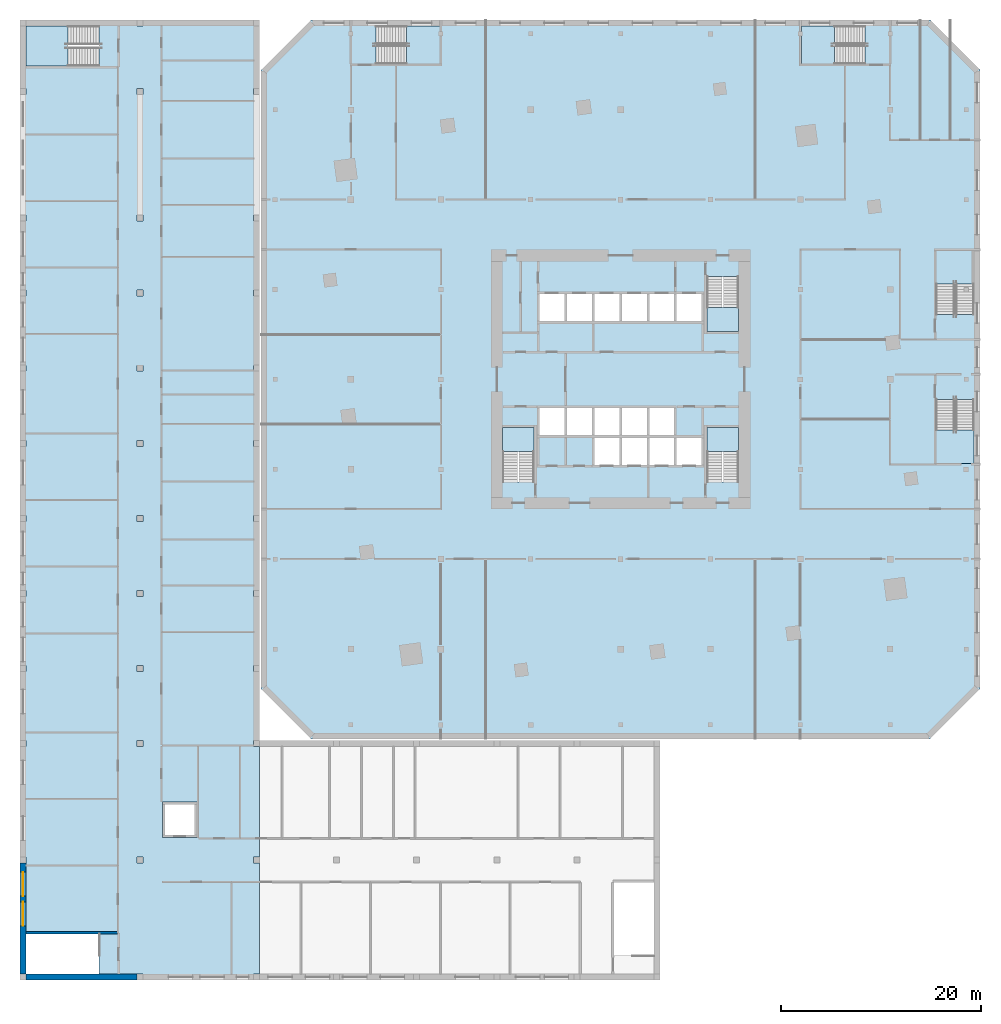
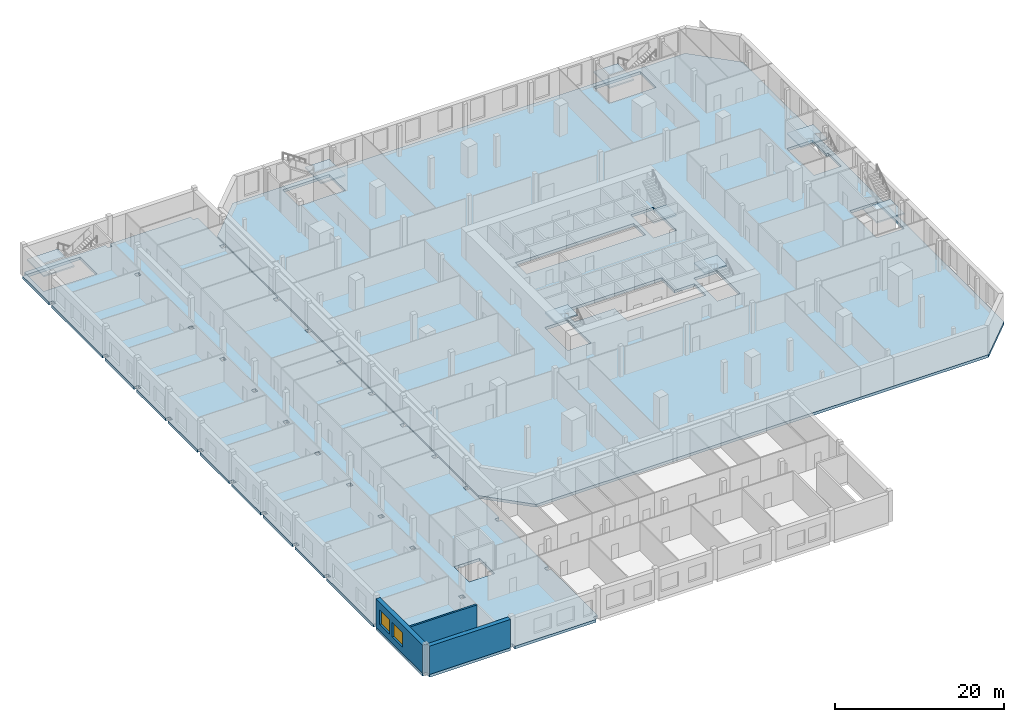
# One storey, part 2 of 18: 10 slabs, 3 walls, 2 windows, 2 openings, 8 elements without a shape of their own.
"""IFC4 building model written with IfcOpenShell, lengths in metres."""

from ifc_helpers import new_model, si_unit, direction, frame, frame_2d, origin, place, context, subcontext, project, spatial, polyline, rectangle, outline, extrude, material, layer, layer_set, type_object, element, fill, aggregate, save


model = new_model("IFC4")

# Units and contexts
model_context = context("Model", 3, precision=1e-05, world=origin(), true_north=direction((0.0, 1.0)))
body_context = subcontext(model_context, "Body", "Model", "MODEL_VIEW")
ifc_project = project(units=[si_unit("LENGTHUNIT", "METRE"), si_unit("AREAUNIT", "SQUARE_METRE"), si_unit("VOLUMEUNIT", "CUBIC_METRE"), si_unit("PLANEANGLEUNIT", "RADIAN"), si_unit("MASSUNIT", "GRAM", prefix="KILO")], contexts=[model_context])

# Site, building, storey
site_placement = place(None, origin())
site = spatial("IfcSite", under=ifc_project, at=site_placement, CompositionType="ELEMENT")
building_placement = place(site_placement, origin())
building = spatial("IfcBuilding", under=site, at=building_placement, Name="Dilmun Exchange Tower", CompositionType="ELEMENT")
storey_placement = place(building_placement, frame((0.0, 0.0, 13.5)))
storey = spatial("IfcBuildingStorey", under=building, at=storey_placement, Name="L03", CompositionType="ELEMENT", Elevation=13.5)

# Stair, slab
ifc_material_1 = material(Name="Concrete C40/50", Category="concrete")
stair_type_1 = type_object("IfcStairType", Name="Exit stair 1500 half-turn", PredefinedType="HALF_TURN_STAIR", material=ifc_material_1)
stair_1_placement = place(storey_placement, origin())
stair_1 = element("IfcStair", 1, at=stair_1_placement, inside=storey, type_object=stair_type_1, Name="L03 Protected exit stair ST1", PredefinedType="HALF_TURN_STAIR")
ifc_layer_1 = layer(ifc_material_1, 0.199951171875)
ifc_layer_set_1 = layer_set([ifc_layer_1], Name="Concrete C40/50")
slab_type_1 = type_object("IfcSlabType", Name="Exit stair landing 200", PredefinedType="LANDING", material=ifc_layer_set_1)
slab_1_placement = place(storey_placement, frame((0.0, 0.0, 2.050048828125)))
slab_1 = element("IfcSlab", 2, at=slab_1_placement, type_object=slab_type_1, Name="ST1 landing 1", PredefinedType="LANDING", context=body_context, shape_type="SweptSolid", body=[
    extrude(outline(polyline([(8.64990234375, 7.219970703125), (8.64990234375, 4.800048828125), (11.800048828125, 4.800048828125), (11.800048828125, 7.219970703125), (8.64990234375, 7.219970703125)])), origin(), (0.0, 0.0, 1.0), 0.199951171875),
])
aggregate(stair_1, [slab_1])

stair_2_placement = place(storey_placement, origin())
stair_2 = element("IfcStair", 3, at=stair_2_placement, inside=storey, type_object=stair_type_1, Name="L03 Protected exit stair ST2", PredefinedType="HALF_TURN_STAIR")
slab_2_placement = place(storey_placement, frame((0.0, 0.0, 2.050048828125)))
slab_2 = element("IfcSlab", 4, at=slab_2_placement, type_object=slab_type_1, Name="ST2 landing 1", PredefinedType="LANDING", context=body_context, shape_type="SweptSolid", body=[
    extrude(outline(polyline([(-8.64990234375, -7.219970703125), (-8.64990234375, -4.800048828125), (-11.800048828125, -4.800048828125), (-11.800048828125, -7.219970703125), (-8.64990234375, -7.219970703125)])), origin(), (0.0, 0.0, 1.0), 0.199951171875),
])
aggregate(stair_2, [slab_2])

stair_3_placement = place(storey_placement, origin())
stair_3 = element("IfcStair", 5, at=stair_3_placement, inside=storey, type_object=stair_type_1, Name="L03 Protected exit stair ST3", PredefinedType="HALF_TURN_STAIR")
slab_3_placement = place(storey_placement, frame((0.0, 0.0, 2.050048828125)))
slab_3 = element("IfcSlab", 6, at=slab_3_placement, type_object=slab_type_1, Name="ST3 landing 1", PredefinedType="LANDING", context=body_context, shape_type="SweptSolid", body=[
    extrude(outline(polyline([(11.800048828125, -7.219970703125), (11.800048828125, -4.800048828125), (8.64990234375, -4.800048828125), (8.64990234375, -7.219970703125), (11.800048828125, -7.219970703125)])), origin(), (0.0, 0.0, 1.0), 0.199951171875),
])
aggregate(stair_3, [slab_3])

stair_type_2 = type_object("IfcStairType", Name="Podium exit stair 1500", PredefinedType="HALF_TURN_STAIR", material=ifc_material_1)
stair_4_placement = place(storey_placement, origin())
stair_4 = element("IfcStair", 7, at=stair_4_placement, inside=storey, type_object=stair_type_2, Name="L03 Podium exit stair PS1", PredefinedType="HALF_TURN_STAIR")
ifc_layer_2 = layer(ifc_material_1, 0.199951171875)
ifc_layer_set_2 = layer_set([ifc_layer_2], Name="Concrete C40/50")
slab_type_2 = type_object("IfcSlabType", Name="Podium stair landing 200", PredefinedType="LANDING", material=ifc_layer_set_2)
slab_4_placement = place(storey_placement, frame((0.0, 0.0, 2.050048828125)))
slab_4 = element("IfcSlab", 8, at=slab_4_placement, type_object=slab_type_2, Name="PS1 landing 1", PredefinedType="LANDING", context=body_context, shape_type="SweptSolid", body=[
    extrude(outline(polyline([(-21.419921875, 31.60009765625), (-18.10498046875, 31.60009765625), (-18.10498046875, 35.39794921875), (-21.419921875, 35.39794921875), (-21.419921875, 31.60009765625)])), origin(), (0.0, 0.0, 1.0), 0.199951171875),
])
aggregate(stair_4, [slab_4])

stair_5_placement = place(storey_placement, origin())
stair_5 = element("IfcStair", 9, at=stair_5_placement, inside=storey, type_object=stair_type_2, Name="L03 Podium exit stair PS2", PredefinedType="HALF_TURN_STAIR")
slab_5_placement = place(storey_placement, frame((0.0, 0.0, 2.050048828125)))
slab_5 = element("IfcSlab", 10, at=slab_5_placement, type_object=slab_type_2, Name="PS2 landing 1", PredefinedType="LANDING", context=body_context, shape_type="SweptSolid", body=[
    extrude(outline(polyline([(21.419921875, 35.39794921875), (18.10498046875, 35.39794921875), (18.10498046875, 31.60009765625), (21.419921875, 31.60009765625), (21.419921875, 35.39794921875)])), origin(), (0.0, 0.0, 1.0), 0.199951171875),
])
aggregate(stair_5, [slab_5])

stair_6_placement = place(storey_placement, origin())
stair_6 = element("IfcStair", 11, at=stair_6_placement, inside=storey, type_object=stair_type_2, Name="L03 Podium exit stair PS3", PredefinedType="HALF_TURN_STAIR")
slab_6_placement = place(storey_placement, frame((0.0, 0.0, 2.050048828125)))
slab_6 = element("IfcSlab", 12, at=slab_6_placement, type_object=slab_type_2, Name="PS3 landing 1", PredefinedType="LANDING", context=body_context, shape_type="SweptSolid", body=[
    extrude(outline(polyline([(31.60009765625, -5.080078125), (31.60009765625, -8.39501953125), (35.39794921875, -8.39501953125), (35.39794921875, -5.080078125), (31.60009765625, -5.080078125)])), origin(), (0.0, 0.0, 1.0), 0.199951171875),
])
aggregate(stair_6, [slab_6])

stair_7_placement = place(storey_placement, origin())
stair_7 = element("IfcStair", 13, at=stair_7_placement, inside=storey, type_object=stair_type_2, Name="L03 Podium exit stair PS4", PredefinedType="HALF_TURN_STAIR")
slab_7_placement = place(storey_placement, frame((0.0, 0.0, 2.050048828125)))
slab_7 = element("IfcSlab", 14, at=slab_7_placement, type_object=slab_type_2, Name="PS4 landing 1", PredefinedType="LANDING", context=body_context, shape_type="SweptSolid", body=[
    extrude(outline(polyline([(35.197998046875, 9.580078125), (35.197998046875, 12.89501953125), (31.60009765625, 12.89501953125), (31.60009765625, 9.580078125), (35.197998046875, 9.580078125)])), origin(), (0.0, 0.0, 1.0), 0.199951171875),
])
aggregate(stair_7, [slab_7])

# Slabs
ifc_layer_3 = layer(ifc_material_1, 0.39990234375)
ifc_layer_set_3 = layer_set([ifc_layer_3], Name="Concrete C40/50")
slab_type_3 = type_object("IfcSlabType", Name="RC floor slab 400", PredefinedType="FLOOR", material=ifc_layer_set_3)
slab_8_placement = place(storey_placement, frame((0.0, 0.0, -0.39990234375)))
element("IfcSlab", 15, at=slab_8_placement, inside=storey, type_object=slab_type_3, Name="Floor slab", PredefinedType="FLOOR", context=body_context, shape_type="SweptSolid", body=[
    extrude(outline(polyline([(-36.0, -31.0), (-36.0, 31.0), (-31.0, 36.0), (31.0, 36.0), (36.0, 31.0), (36.0, -31.0), (31.0, -36.0), (-31.0, -36.0), (-36.0, -31.0)]), holes=[polyline([(-8.64990234375, -10.294921875), (-8.64990234375, -4.800048828125), (-11.800048828125, -4.800048828125), (-11.800048828125, -10.294921875), (-8.64990234375, -10.294921875)]), polyline([(11.800048828125, -10.294921875), (11.800048828125, -4.800048828125), (8.64990234375, -4.800048828125), (8.64990234375, -10.294921875), (11.800048828125, -10.294921875)]), polyline([(5.375, -2.85009765625), (-8.125, -2.85009765625), (-8.125, -5.550048828125), (-2.625, -5.550048828125), (-2.625, -8.550048828125), (8.125, -8.550048828125), (8.125, -5.85009765625), (5.375, -5.85009765625), (5.375, -2.85009765625)]), polyline([(35.39794921875, -8.39501953125), (35.39794921875, -2.0048828125), (31.60009765625, -2.0048828125), (31.60009765625, -8.39501953125), (35.39794921875, -8.39501953125)]), polyline([(-8.125, 5.85009765625), (8.125, 5.85009765625), (8.125, 8.550048828125), (-8.125, 8.550048828125), (-8.125, 5.85009765625)]), polyline([(8.64990234375, 10.294921875), (8.64990234375, 4.800048828125), (11.800048828125, 4.800048828125), (11.800048828125, 10.294921875), (8.64990234375, 10.294921875)]), polyline([(35.39794921875, 12.89501953125), (31.60009765625, 12.89501953125), (31.60009765625, 6.5048828125), (35.39794921875, 6.5048828125), (35.39794921875, 9.58056640625), (35.097900390625, 9.58056640625), (35.097900390625, 12.889892578125), (35.39794921875, 12.889892578125), (35.39794921875, 12.89501953125)]), polyline([(-18.10498046875, 31.60009765625), (-18.10498046875, 35.39794921875), (-24.4951171875, 35.39794921875), (-24.4951171875, 31.60009765625), (-18.10498046875, 31.60009765625)]), polyline([(18.10498046875, 35.39794921875), (18.10498046875, 31.60009765625), (24.4951171875, 31.60009765625), (24.4951171875, 35.39794921875), (18.10498046875, 35.39794921875)])]), origin(), (0.0, 0.0, 1.0), 0.39990234375),
])
ifc_layer_4 = layer(ifc_material_1, 0.39990234375)
ifc_layer_set_4 = layer_set([ifc_layer_4], Name="Concrete C40/50")
slab_type_4 = type_object("IfcSlabType", Name="School flat slab 400 PT", PredefinedType="FLOOR", material=ifc_layer_set_4)
slab_9_placement = place(storey_placement, frame((0.0, 0.0, -0.39990234375)))
element("IfcSlab", 16, at=slab_9_placement, inside=storey, type_object=slab_type_4, Name="School slab L03", PredefinedType="FLOOR", context=body_context, shape_type="SweptSolid", body=[
    extrude(outline(polyline([(-36.75, -60.14990234375), (-47.85009765625, -60.14990234375), (-47.85009765625, -59.550048828125), (-48.449951171875, -59.550048828125), (-48.449951171875, -60.14990234375), (-59.550048828125, -60.14990234375), (-59.550048828125, -59.551025390625), (-52.25390625, -59.551025390625), (-52.25390625, -55.549072265625), (-59.551025390625, -55.549072265625), (-59.551025390625, -59.550048828125), (-60.14990234375, -59.550048828125), (-60.14990234375, -48.449951171875), (-59.550048828125, -48.449951171875), (-59.550048828125, -47.85009765625), (-60.14990234375, -47.85009765625), (-60.14990234375, -36.75), (-59.550048828125, -36.75), (-59.550048828125, -36.14990234375), (-60.14990234375, -36.14990234375), (-60.14990234375, -29.236083984375), (-59.550048828125, -29.236083984375), (-59.550048828125, -28.635986328125), (-60.14990234375, -28.635986328125), (-60.14990234375, -21.720947265625), (-59.550048828125, -21.720947265625), (-59.550048828125, -21.12109375), (-60.14990234375, -21.12109375), (-60.14990234375, -14.20703125), (-59.550048828125, -14.20703125), (-59.550048828125, -13.60693359375), (-60.14990234375, -13.60693359375), (-60.14990234375, -6.693115234375), (-59.550048828125, -6.693115234375), (-59.550048828125, -6.093017578125), (-60.14990234375, -6.093017578125), (-60.14990234375, 0.821044921875), (-59.550048828125, 0.821044921875), (-59.550048828125, 1.4208984375), (-60.14990234375, 1.4208984375), (-60.14990234375, 8.3359375), (-59.550048828125, 8.3359375), (-59.550048828125, 8.93603515625), (-60.14990234375, 8.93603515625), (-60.14990234375, 15.85009765625), (-59.550048828125, 15.85009765625), (-59.550048828125, 16.449951171875), (-60.14990234375, 16.449951171875), (-60.14990234375, 28.550048828125), (-59.550048828125, 28.550048828125), (-59.550048828125, 29.14990234375), (-60.14990234375, 29.14990234375), (-60.14990234375, 35.39990234375), (-59.551025390625, 35.39990234375), (-59.551025390625, 31.39892578125), (-52.25390625, 31.39892578125), (-52.25390625, 35.40087890625), (-59.550048828125, 35.40087890625), (-59.550048828125, 36.0), (-48.449951171875, 36.0), (-48.449951171875, 35.39990234375), (-47.85009765625, 35.39990234375), (-47.85009765625, 36.0), (-36.75, 36.0), (-36.75, 35.39990234375), (-36.14990234375, 35.39990234375), (-36.14990234375, 29.14990234375), (-36.75, 29.14990234375), (-36.75, 28.550048828125), (-36.14990234375, 28.550048828125), (-36.14990234375, 16.449951171875), (-36.75, 16.449951171875), (-36.75, 15.85009765625), (-36.14990234375, 15.85009765625), (-36.14990234375, 8.93603515625), (-36.75, 8.93603515625), (-36.75, 8.3359375), (-36.14990234375, 8.3359375), (-36.14990234375, 1.4208984375), (-36.75, 1.4208984375), (-36.75, 0.821044921875), (-36.14990234375, 0.821044921875), (-36.14990234375, -6.093017578125), (-36.75, -6.093017578125), (-36.75, -6.693115234375), (-36.14990234375, -6.693115234375), (-36.14990234375, -13.60693359375), (-36.75, -13.60693359375), (-36.75, -14.20703125), (-36.14990234375, -14.20703125), (-36.14990234375, -21.12109375), (-36.75, -21.12109375), (-36.75, -21.720947265625), (-36.14990234375, -21.720947265625), (-36.14990234375, -28.635986328125), (-36.75, -28.635986328125), (-36.75, -29.236083984375), (-36.14990234375, -29.236083984375), (-36.14990234375, -36.14990234375), (-36.75, -36.14990234375), (-36.75, -36.75), (-36.14990234375, -36.75), (-36.14990234375, -47.85009765625), (-36.75, -47.85009765625), (-36.75, -48.449951171875), (-36.14990234375, -48.449951171875), (-36.14990234375, -59.550048828125), (-36.75, -59.550048828125), (-36.75, -60.14990234375)]), holes=[polyline([(-48.449951171875, -29.236083984375), (-47.85009765625, -29.236083984375), (-47.85009765625, -28.635986328125), (-48.449951171875, -28.635986328125), (-48.449951171875, -29.236083984375)]), polyline([(-48.449951171875, 8.93603515625), (-48.449951171875, 8.3359375), (-47.85009765625, 8.3359375), (-47.85009765625, 8.93603515625), (-48.449951171875, 8.93603515625)]), polyline([(-48.449951171875, 15.85009765625), (-47.85009765625, 15.85009765625), (-47.85009765625, 16.449951171875), (-48.449951171875, 16.449951171875), (-48.449951171875, 15.85009765625)]), polyline([(-48.449951171875, 29.14990234375), (-48.449951171875, 28.550048828125), (-47.85009765625, 28.550048828125), (-47.85009765625, 29.14990234375), (-48.449951171875, 29.14990234375)]), polyline([(-48.449951171875, -48.449951171875), (-47.85009765625, -48.449951171875), (-47.85009765625, -47.85009765625), (-48.449951171875, -47.85009765625), (-48.449951171875, -48.449951171875)]), polyline([(-48.449951171875, -36.14990234375), (-48.449951171875, -36.75), (-47.85009765625, -36.75), (-47.85009765625, -36.14990234375), (-48.449951171875, -36.14990234375)]), polyline([(-48.449951171875, -21.12109375), (-48.449951171875, -21.720947265625), (-47.85009765625, -21.720947265625), (-47.85009765625, -21.12109375), (-48.449951171875, -21.12109375)]), polyline([(-48.449951171875, -14.20703125), (-47.85009765625, -14.20703125), (-47.85009765625, -13.60693359375), (-48.449951171875, -13.60693359375), (-48.449951171875, -14.20703125)]), polyline([(-48.449951171875, -6.093017578125), (-48.449951171875, -6.693115234375), (-47.85009765625, -6.693115234375), (-47.85009765625, -6.093017578125), (-48.449951171875, -6.093017578125)]), polyline([(-48.449951171875, 1.4208984375), (-48.449951171875, 0.821044921875), (-47.85009765625, 0.821044921875), (-47.85009765625, 1.4208984375), (-48.449951171875, 1.4208984375)]), polyline([(-42.39892578125, -42.299072265625), (-45.90087890625, -42.299072265625), (-45.90087890625, -45.90087890625), (-42.39892578125, -45.90087890625), (-42.39892578125, -42.299072265625)])]), origin(), (0.0, 0.0, 1.0), 0.39990234375),
])

# Stair, slab
stair_type_3 = type_object("IfcStairType", Name="School exit stair 1850 wide", PredefinedType="HALF_TURN_STAIR", material=ifc_material_1)
stair_8_placement = place(storey_placement, origin())
stair_8 = element("IfcStair", 17, at=stair_8_placement, inside=storey, type_object=stair_type_3, Name="L03 Stair S1", PredefinedType="HALF_TURN_STAIR")
ifc_layer_5 = layer(ifc_material_1, 0.199951171875)
ifc_layer_set_5 = layer_set([ifc_layer_5], Name="Concrete C40/50")
slab_type_5 = type_object("IfcSlabType", Name="School stair landing 200", PredefinedType="LANDING", material=ifc_layer_set_5)
slab_10_placement = place(storey_placement, frame((0.0, 0.0, 2.050048828125)))
slab_10 = element("IfcSlab", 18, at=slab_10_placement, type_object=slab_type_5, Name="SCH-S1 landing 1", PredefinedType="LANDING", context=body_context, shape_type="SweptSolid", body=[
    extrude(outline(polyline([(-55.330078125, 35.39990234375), (-59.550048828125, 35.39990234375), (-59.550048828125, 31.39990234375), (-55.330078125, 31.39990234375), (-55.330078125, 35.39990234375)])), origin(), (0.0, 0.0, 1.0), 0.199951171875),
])
aggregate(stair_8, [slab_10])

# Wall, openings, windows
ifc_material_2 = material(Name="Precast concrete C40/50", Category="concrete")
ifc_layer_6 = layer(ifc_material_2, 0.60009765625)
ifc_layer_set_6 = layer_set([ifc_layer_6], Name="Precast concrete C40/50")
wall_type_1 = type_object("IfcWallType", Name="School external wall 600 precast C40/50", PredefinedType="STANDARD", material=ifc_layer_set_6)
wall_1_placement = place(storey_placement, frame((-59.85009765625, -59.550048828125, 0.0), z_axis=(0.0, 0.0, 1.0), x_axis=(0.0, 1.0, 0.0)))
wall_1 = element("IfcWall", 19, at=wall_1_placement, inside=storey, type_object=wall_type_1, Name="School external wall", PredefinedType="STANDARD", context=body_context, shape_type="SweptSolid", body=[
    extrude(rectangle(XDim=11.10009765625, YDim=0.60009765625, at=frame_2d((5.550048828125, 0.0))), origin(), (0.0, 0.0, 1.0), 4.10009765625),
])
opening_1_placement = place(wall_1_placement, frame((4.81591796875, 0.0, 0.89990234375)))
opening_1 = element("IfcOpeningElement", 20, at=opening_1_placement, cuts=wall_1, Name="Opening SCH-W24", PredefinedType="OPENING", context=body_context, shape_type="SweptSolid", body=[
    extrude(rectangle(XDim=2.39990234375, YDim=2.10009765625, at=frame_2d((1.199951171875, 1.050048828125))), frame((0.0, 0.31005859375, 0.0), z_axis=(0.0, -1.0, 0.0), x_axis=(1.0, 0.0, 0.0)), (0.0, 0.0, 1.0), 0.6201171875),
])
opening_2_placement = place(wall_1_placement, frame((7.807373046875, 0.0, 0.89990234375)))
opening_2 = element("IfcOpeningElement", 21, at=opening_2_placement, cuts=wall_1, Name="Opening SCH-W24", PredefinedType="OPENING", context=body_context, shape_type="SweptSolid", body=[
    extrude(rectangle(XDim=2.39990234375, YDim=2.10009765625, at=frame_2d((1.199951171875, 1.050048828125))), frame((0.0, 0.31005859375, 0.0), z_axis=(0.0, -1.0, 0.0), x_axis=(1.0, 0.0, 0.0)), (0.0, 0.0, 1.0), 0.6201171875),
])
ifc_material_3 = material(Name="Clear low-emissivity glass in aluminium frame", Category="aluminium")
window_type = type_object("IfcWindowType", Name="School window 2400 x 2100", PartitioningType="DOUBLE_PANEL_VERTICAL", PredefinedType="WINDOW", material=ifc_material_3)
window_1_placement = place(opening_1_placement, origin())
window_1 = element("IfcWindow", 22, at=window_1_placement, inside=storey, type_object=window_type, Name="School window", OverallHeight=2.10009765625, OverallWidth=2.39990234375, PartitioningType="SINGLE_PANEL", PredefinedType="WINDOW", context=body_context, shape_type="SweptSolid", body=[
    extrude(rectangle(XDim=2.39990234375, YDim=2.10009765625, at=frame_2d((1.199951171875, 1.050048828125))), frame((0.0, 0.030029296875, 0.0), z_axis=(0.0, -1.0, 0.0), x_axis=(1.0, 0.0, 0.0)), (0.0, 0.0, 1.0), 0.06005859375),
])
fill(opening_1, window_1)
window_2_placement = place(opening_2_placement, origin())
window_2 = element("IfcWindow", 23, at=window_2_placement, inside=storey, type_object=window_type, Name="School window", OverallHeight=2.10009765625, OverallWidth=2.39990234375, PartitioningType="SINGLE_PANEL", PredefinedType="WINDOW", context=body_context, shape_type="SweptSolid", body=[
    extrude(rectangle(XDim=2.39990234375, YDim=2.10009765625, at=frame_2d((1.199951171875, 1.050048828125))), frame((0.0, 0.030029296875, 0.0), z_axis=(0.0, -1.0, 0.0), x_axis=(1.0, 0.0, 0.0)), (0.0, 0.0, 1.0), 0.06005859375),
])
fill(opening_2, window_2)

# Walls
wall_2_placement = place(storey_placement, frame((-48.449951171875, -59.85009765625, 0.0), z_axis=(0.0, 0.0, 1.0), x_axis=(-1.0, 0.0, 0.0)))
element("IfcWall", 24, at=wall_2_placement, inside=storey, type_object=wall_type_1, Name="School external wall", PredefinedType="STANDARD", context=body_context, shape_type="SweptSolid", body=[
    extrude(rectangle(XDim=11.10009765625, YDim=0.60009765625, at=frame_2d((5.550048828125, 0.0))), origin(), (0.0, 0.0, 1.0), 4.10009765625),
])
ifc_layer_7 = layer(ifc_material_1, 0.25)
ifc_layer_set_7 = layer_set([ifc_layer_7], Name="Concrete C40/50")
wall_type_2 = type_object("IfcWallType", Name="School stair and lift wall 250 C40/50", PredefinedType="SHEAR", material=ifc_layer_set_7)
wall_3_placement = place(storey_placement, frame((-59.550048828125, -55.425048828125, 0.0), z_axis=(0.0, 0.0, 1.0), x_axis=(1.0, 0.0, 0.0)))
element("IfcWall", 25, at=wall_3_placement, inside=storey, type_object=wall_type_2, Name="School stair or lift wall", PredefinedType="SHEAR", context=body_context, shape_type="SweptSolid", body=[
    extrude(rectangle(XDim=9.150146484375, YDim=0.25, at=frame_2d((4.5751953125, 0.0))), origin(), (0.0, 0.0, 1.0), 4.10009765625),
])

save(model, "model.ifc")
